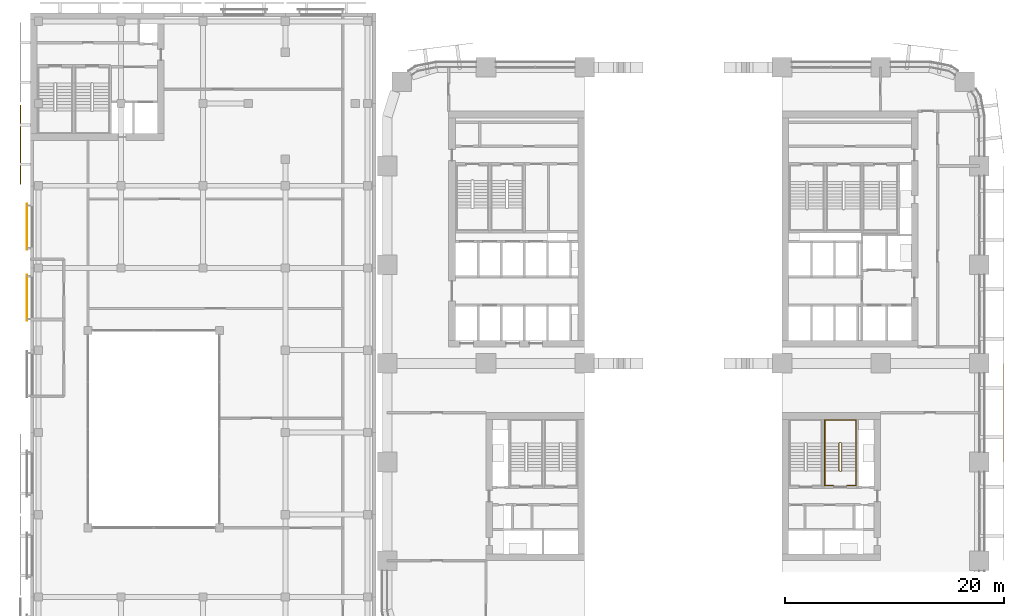
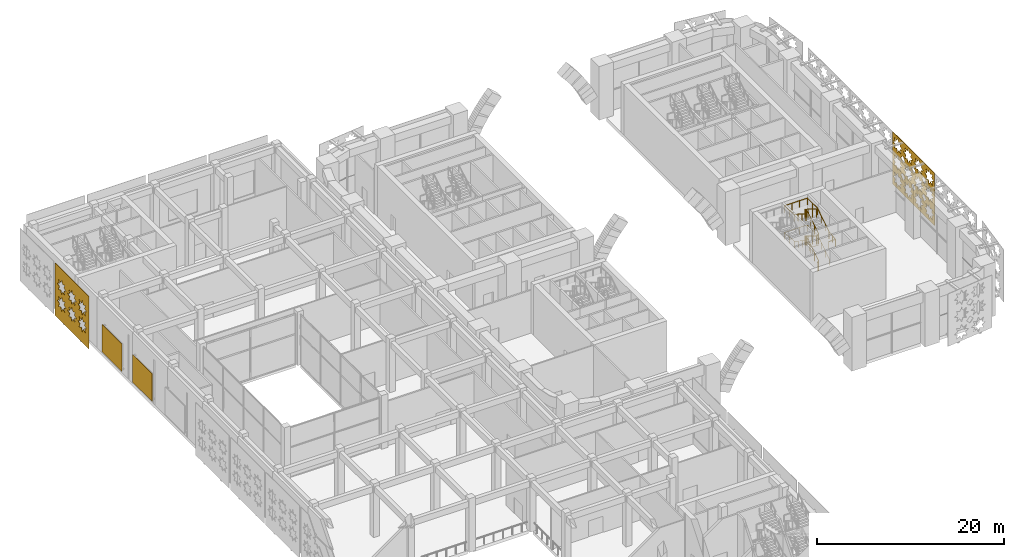
# One storey, part 36 of 42: 4 coverings, 3 railings.
"""IFC4 building model written with IfcOpenShell, lengths in metres."""

from ifc_helpers import new_model, si_unit, direction, frame, origin, origin_2d, place, context, subcontext, project, spatial, polyline, rectangle, circle, outline, extrude, material, layer, layer_set, type_object, element, save


model = new_model("IFC4")

# Units and contexts
model_context = context("Model", 3, precision=1e-05, world=origin(), true_north=direction((0.0, 1.0)))
body_context = subcontext(model_context, "Body", "Model", "MODEL_VIEW")
ifc_project = project(units=[si_unit("LENGTHUNIT", "METRE"), si_unit("AREAUNIT", "SQUARE_METRE"), si_unit("VOLUMEUNIT", "CUBIC_METRE"), si_unit("PLANEANGLEUNIT", "RADIAN"), si_unit("MASSUNIT", "GRAM", prefix="KILO")], contexts=[model_context])

# Site, building, storey
site_placement = place(None, origin())
site = spatial("IfcSite", under=ifc_project, at=site_placement, CompositionType="ELEMENT")
building_placement = place(site_placement, origin())
building = spatial("IfcBuilding", under=site, at=building_placement, Name="Tessera Arch", CompositionType="ELEMENT")
storey_placement = place(building_placement, frame((0.0, 0.0, 14.0)))
storey = spatial("IfcBuildingStorey", under=building, at=storey_placement, Name="L02", CompositionType="ELEMENT", Elevation=14.0)

# Coverings
ifc_material_1 = material(Name="Anodised aluminium pale metal", Category="aluminium")
ifc_layer_1 = layer(ifc_material_1, 0.050048828125)
ifc_layer_set_1 = layer_set([ifc_layer_1], Name="Base lattice panel pale metal")
covering_type_1 = type_object("IfcCoveringType", Name="Base lattice panel pale metal", PredefinedType="CLADDING", material=ifc_layer_set_1)
covering_1_placement = place(storey_placement, frame((56.199951171875, 18.0, 7.0), z_axis=(-1.0, 0.0, 0.0), x_axis=(0.0, 1.0, 0.0)))
element("IfcCovering", 1, at=covering_1_placement, inside=storey, type_object=covering_type_1, Name="Base lattice panel E54.0/1 L02", PredefinedType="CLADDING", context=body_context, shape_type="SweptSolid", body=[
    extrude(outline(polyline([(0.0, 0.0), (9.0, 0.0), (9.0, 6.840087890625), (0.0, 6.840087890625), (0.0, 0.0)]), holes=[polyline([(2.114990234375, 5.669921875), (1.6240234375, 5.462890625), (1.824951171875, 4.969970703125), (1.33203125, 5.1708984375), (1.125, 4.679931640625), (0.91796875, 5.1708984375), (0.425048828125, 4.969970703125), (0.6259765625, 5.462890625), (0.135009765625, 5.669921875), (0.6259765625, 5.876953125), (0.425048828125, 6.3701171875), (0.91796875, 6.1689453125), (1.125, 6.659912109375), (1.33203125, 6.1689453125), (1.824951171875, 6.3701171875), (1.6240234375, 5.876953125), (2.114990234375, 5.669921875)]), polyline([(2.114990234375, 3.419921875), (1.6240234375, 3.212890625), (1.824951171875, 2.719970703125), (1.33203125, 2.9208984375), (1.125, 2.429931640625), (0.91796875, 2.9208984375), (0.425048828125, 2.719970703125), (0.6259765625, 3.212890625), (0.135009765625, 3.419921875), (0.6259765625, 3.626953125), (0.425048828125, 4.1201171875), (0.91796875, 3.9189453125), (1.125, 4.409912109375), (1.33203125, 3.9189453125), (1.824951171875, 4.1201171875), (1.6240234375, 3.626953125), (2.114990234375, 3.419921875)]), polyline([(2.114990234375, 1.169921875), (1.6240234375, 0.962890625), (1.824951171875, 0.469970703125), (1.33203125, 0.6708984375), (1.125, 0.179931640625), (0.91796875, 0.6708984375), (0.425048828125, 0.469970703125), (0.6259765625, 0.962890625), (0.135009765625, 1.169921875), (0.6259765625, 1.376953125), (0.425048828125, 1.8701171875), (0.91796875, 1.6689453125), (1.125, 2.159912109375), (1.33203125, 1.6689453125), (1.824951171875, 1.8701171875), (1.6240234375, 1.376953125), (2.114990234375, 1.169921875)]), polyline([(4.364990234375, 5.669921875), (3.8740234375, 5.462890625), (4.074951171875, 4.969970703125), (3.58203125, 5.1708984375), (3.375, 4.679931640625), (3.16796875, 5.1708984375), (2.675048828125, 4.969970703125), (2.8759765625, 5.462890625), (2.385009765625, 5.669921875), (2.8759765625, 5.876953125), (2.675048828125, 6.3701171875), (3.16796875, 6.1689453125), (3.375, 6.659912109375), (3.58203125, 6.1689453125), (4.074951171875, 6.3701171875), (3.8740234375, 5.876953125), (4.364990234375, 5.669921875)]), polyline([(4.364990234375, 3.419921875), (3.8740234375, 3.212890625), (4.074951171875, 2.719970703125), (3.58203125, 2.9208984375), (3.375, 2.429931640625), (3.16796875, 2.9208984375), (2.675048828125, 2.719970703125), (2.8759765625, 3.212890625), (2.385009765625, 3.419921875), (2.8759765625, 3.626953125), (2.675048828125, 4.1201171875), (3.16796875, 3.9189453125), (3.375, 4.409912109375), (3.58203125, 3.9189453125), (4.074951171875, 4.1201171875), (3.8740234375, 3.626953125), (4.364990234375, 3.419921875)]), polyline([(4.364990234375, 1.169921875), (3.8740234375, 0.962890625), (4.074951171875, 0.469970703125), (3.58203125, 0.6708984375), (3.375, 0.179931640625), (3.16796875, 0.6708984375), (2.675048828125, 0.469970703125), (2.8759765625, 0.962890625), (2.385009765625, 1.169921875), (2.8759765625, 1.376953125), (2.675048828125, 1.8701171875), (3.16796875, 1.6689453125), (3.375, 2.159912109375), (3.58203125, 1.6689453125), (4.074951171875, 1.8701171875), (3.8740234375, 1.376953125), (4.364990234375, 1.169921875)]), polyline([(6.614990234375, 5.669921875), (6.1240234375, 5.462890625), (6.324951171875, 4.969970703125), (5.83203125, 5.1708984375), (5.625, 4.679931640625), (5.41796875, 5.1708984375), (4.925048828125, 4.969970703125), (5.1259765625, 5.462890625), (4.635009765625, 5.669921875), (5.1259765625, 5.876953125), (4.925048828125, 6.3701171875), (5.41796875, 6.1689453125), (5.625, 6.659912109375), (5.83203125, 6.1689453125), (6.324951171875, 6.3701171875), (6.1240234375, 5.876953125), (6.614990234375, 5.669921875)]), polyline([(6.614990234375, 3.419921875), (6.1240234375, 3.212890625), (6.324951171875, 2.719970703125), (5.83203125, 2.9208984375), (5.625, 2.429931640625), (5.41796875, 2.9208984375), (4.925048828125, 2.719970703125), (5.1259765625, 3.212890625), (4.635009765625, 3.419921875), (5.1259765625, 3.626953125), (4.925048828125, 4.1201171875), (5.41796875, 3.9189453125), (5.625, 4.409912109375), (5.83203125, 3.9189453125), (6.324951171875, 4.1201171875), (6.1240234375, 3.626953125), (6.614990234375, 3.419921875)]), polyline([(6.614990234375, 1.169921875), (6.1240234375, 0.962890625), (6.324951171875, 0.469970703125), (5.83203125, 0.6708984375), (5.625, 0.179931640625), (5.41796875, 0.6708984375), (4.925048828125, 0.469970703125), (5.1259765625, 0.962890625), (4.635009765625, 1.169921875), (5.1259765625, 1.376953125), (4.925048828125, 1.8701171875), (5.41796875, 1.6689453125), (5.625, 2.159912109375), (5.83203125, 1.6689453125), (6.324951171875, 1.8701171875), (6.1240234375, 1.376953125), (6.614990234375, 1.169921875)]), polyline([(8.864990234375, 5.669921875), (8.3740234375, 5.462890625), (8.574951171875, 4.969970703125), (8.08203125, 5.1708984375), (7.875, 4.679931640625), (7.66796875, 5.1708984375), (7.175048828125, 4.969970703125), (7.3759765625, 5.462890625), (6.885009765625, 5.669921875), (7.3759765625, 5.876953125), (7.175048828125, 6.3701171875), (7.66796875, 6.1689453125), (7.875, 6.659912109375), (8.08203125, 6.1689453125), (8.574951171875, 6.3701171875), (8.3740234375, 5.876953125), (8.864990234375, 5.669921875)]), polyline([(8.864990234375, 3.419921875), (8.3740234375, 3.212890625), (8.574951171875, 2.719970703125), (8.08203125, 2.9208984375), (7.875, 2.429931640625), (7.66796875, 2.9208984375), (7.175048828125, 2.719970703125), (7.3759765625, 3.212890625), (6.885009765625, 3.419921875), (7.3759765625, 3.626953125), (7.175048828125, 4.1201171875), (7.66796875, 3.9189453125), (7.875, 4.409912109375), (8.08203125, 3.9189453125), (8.574951171875, 4.1201171875), (8.3740234375, 3.626953125), (8.864990234375, 3.419921875)]), polyline([(8.864990234375, 1.169921875), (8.3740234375, 0.962890625), (8.574951171875, 0.469970703125), (8.08203125, 0.6708984375), (7.875, 0.179931640625), (7.66796875, 0.6708984375), (7.175048828125, 0.469970703125), (7.3759765625, 0.962890625), (6.885009765625, 1.169921875), (7.3759765625, 1.376953125), (7.175048828125, 1.8701171875), (7.66796875, 1.6689453125), (7.875, 2.159912109375), (8.08203125, 1.6689453125), (8.574951171875, 1.8701171875), (8.3740234375, 1.376953125), (8.864990234375, 1.169921875)]), polyline([(2.699951171875, 4.544921875), (2.25, 4.094970703125), (1.800048828125, 4.544921875), (2.25, 4.9951171875), (2.699951171875, 4.544921875)]), polyline([(2.699951171875, 2.294921875), (2.25, 1.844970703125), (1.800048828125, 2.294921875), (2.25, 2.7451171875), (2.699951171875, 2.294921875)]), polyline([(4.949951171875, 4.544921875), (4.5, 4.094970703125), (4.050048828125, 4.544921875), (4.5, 4.9951171875), (4.949951171875, 4.544921875)]), polyline([(4.949951171875, 2.294921875), (4.5, 1.844970703125), (4.050048828125, 2.294921875), (4.5, 2.7451171875), (4.949951171875, 2.294921875)]), polyline([(7.199951171875, 4.544921875), (6.75, 4.094970703125), (6.300048828125, 4.544921875), (6.75, 4.9951171875), (7.199951171875, 4.544921875)]), polyline([(7.199951171875, 2.294921875), (6.75, 1.844970703125), (6.300048828125, 2.294921875), (6.75, 2.7451171875), (7.199951171875, 2.294921875)])]), origin(), (0.0, 0.0, -1.0), 0.050048828125),
])
ifc_material_2 = material(Name="Anodised aluminium pale metal", Category="aluminium")
ifc_layer_2 = layer(ifc_material_2, 0.050048828125)
ifc_layer_set_2 = layer_set([ifc_layer_2], Name="Museum lattice skin panel")
covering_type_2 = type_object("IfcCoveringType", Name="Museum lattice skin panel", PredefinedType="CLADDING", material=ifc_layer_set_2)
covering_2_placement = place(storey_placement, frame((-33.449951171875, 50.550048828125, 6.949951171875), z_axis=(1.0, 0.0, 0.0), x_axis=(0.0, -1.0, 0.0)))
element("IfcCovering", 2, at=covering_2_placement, inside=storey, type_object=covering_type_2, Name="Museum lattice skin L02 6-3", PredefinedType="CLADDING", context=body_context, shape_type="SweptSolid", body=[
    extrude(outline(polyline([(0.0, 0.0), (7.199951171875, 0.0), (7.199951171875, 6.849853515625), (0.0, 6.849853515625), (0.0, 0.0)]), holes=[polyline([(2.3681640625, 4.52490234375), (1.887939453125, 4.322998046875), (2.083984375, 3.841064453125), (1.60205078125, 4.036865234375), (1.400146484375, 3.556884765625), (1.197998046875, 4.036865234375), (0.716064453125, 3.841064453125), (0.912109375, 4.322998046875), (0.43212890625, 4.52490234375), (0.912109375, 4.72705078125), (0.716064453125, 5.208984375), (1.197998046875, 5.012939453125), (1.400146484375, 5.492919921875), (1.60205078125, 5.012939453125), (2.083984375, 5.208984375), (1.887939453125, 4.72705078125), (2.3681640625, 4.52490234375)]), polyline([(2.3681640625, 2.324951171875), (1.887939453125, 2.123046875), (2.083984375, 1.640869140625), (1.60205078125, 1.8369140625), (1.400146484375, 1.35693359375), (1.197998046875, 1.8369140625), (0.716064453125, 1.640869140625), (0.912109375, 2.123046875), (0.43212890625, 2.324951171875), (0.912109375, 2.52685546875), (0.716064453125, 3.009033203125), (1.197998046875, 2.81298828125), (1.400146484375, 3.29296875), (1.60205078125, 2.81298828125), (2.083984375, 3.009033203125), (1.887939453125, 2.52685546875), (2.3681640625, 2.324951171875)]), polyline([(4.568115234375, 4.52490234375), (4.088134765625, 4.322998046875), (4.283935546875, 3.841064453125), (3.802001953125, 4.036865234375), (3.60009765625, 3.556884765625), (3.39794921875, 4.036865234375), (2.916015625, 3.841064453125), (3.112060546875, 4.322998046875), (2.632080078125, 4.52490234375), (3.112060546875, 4.72705078125), (2.916015625, 5.208984375), (3.39794921875, 5.012939453125), (3.60009765625, 5.492919921875), (3.802001953125, 5.012939453125), (4.283935546875, 5.208984375), (4.088134765625, 4.72705078125), (4.568115234375, 4.52490234375)]), polyline([(4.568115234375, 2.324951171875), (4.088134765625, 2.123046875), (4.283935546875, 1.640869140625), (3.802001953125, 1.8369140625), (3.60009765625, 1.35693359375), (3.39794921875, 1.8369140625), (2.916015625, 1.640869140625), (3.112060546875, 2.123046875), (2.632080078125, 2.324951171875), (3.112060546875, 2.52685546875), (2.916015625, 3.009033203125), (3.39794921875, 2.81298828125), (3.60009765625, 3.29296875), (3.802001953125, 2.81298828125), (4.283935546875, 3.009033203125), (4.088134765625, 2.52685546875), (4.568115234375, 2.324951171875)]), polyline([(6.76806640625, 4.52490234375), (6.2880859375, 4.322998046875), (6.484130859375, 3.841064453125), (6.001953125, 4.036865234375), (5.800048828125, 3.556884765625), (5.59814453125, 4.036865234375), (5.115966796875, 3.841064453125), (5.31201171875, 4.322998046875), (4.83203125, 4.52490234375), (5.31201171875, 4.72705078125), (5.115966796875, 5.208984375), (5.59814453125, 5.012939453125), (5.800048828125, 5.492919921875), (6.001953125, 5.012939453125), (6.484130859375, 5.208984375), (6.2880859375, 4.72705078125), (6.76806640625, 4.52490234375)]), polyline([(6.76806640625, 2.324951171875), (6.2880859375, 2.123046875), (6.484130859375, 1.640869140625), (6.001953125, 1.8369140625), (5.800048828125, 1.35693359375), (5.59814453125, 1.8369140625), (5.115966796875, 1.640869140625), (5.31201171875, 2.123046875), (4.83203125, 2.324951171875), (5.31201171875, 2.52685546875), (5.115966796875, 3.009033203125), (5.59814453125, 2.81298828125), (5.800048828125, 3.29296875), (6.001953125, 2.81298828125), (6.484130859375, 3.009033203125), (6.2880859375, 2.52685546875), (6.76806640625, 2.324951171875)])]), origin(), (0.0, 0.0, -1.0), 0.050048828125),
])
ifc_material_3 = material(Name="Anodised aluminium pale metal", Category="aluminium")
ifc_layer_3 = layer(ifc_material_3, 0.0400390625)
ifc_layer_set_3 = layer_set([ifc_layer_3], Name="Museum screen panel")
covering_type_3 = type_object("IfcCoveringType", Name="Museum screen panel", PredefinedType="CLADDING", material=ifc_layer_set_3)
for number, where, z_axis, x_axis, name in (
    (3, (-32.8701171875, 39.449951171875, 0.599853515625), (0.0, 0.0, 1.0), (0.0, -1.0, 0.0), "Screen panel museum L02 6-4"),
    (4, (-32.8701171875, 33.0, 0.599853515625), (0.0, 0.0, 1.0), (0.0, -1.0, 0.0), "Screen panel museum L02 6-5"),
):
    element("IfcCovering", number, at=place(storey_placement, frame(where, z_axis=z_axis, x_axis=x_axis)), inside=storey, type_object=covering_type_3, Name=name, PredefinedType="CLADDING", context=body_context, shape_type="SweptSolid", body=[
        extrude(rectangle(XDim=4.199951171875, YDim=0.0400390625, at=origin_2d()), origin(), (0.0, 0.0, 1.0), 3.60009765625),
    ])

# Railings
ifc_material_4 = material(Name="Painted steel balustrade", Category="steel")
railing_type_1 = type_object("IfcRailingType", Name="Stair guard 1100", PredefinedType="GUARDRAIL", material=ifc_material_4)
railing_1_placement = place(storey_placement, frame((41.39990234375, 17.14990234375, 0.0)))
element("IfcRailing", 5, at=railing_1_placement, inside=storey, type_object=railing_type_1, Name="L02 S3b stair guard 1", PredefinedType="GUARDRAIL", context=body_context, shape_type="SweptSolid", body=[
    extrude(circle(Radius=0.02392578125, at=origin_2d()), frame((0.00390625, 0.0, 1.076171875), z_axis=(-1.0, 0.0, 0.0), x_axis=(0.0, -1.0, 0.0)), (0.0, 0.0, 1.0), 0.157958984375),
    extrude(circle(Radius=0.02392578125, at=origin_2d()), frame((-0.15283203125, -0.000732421875, 1.073486328125), z_axis=(0.739407315901, 0.185077533284, 0.647319957877), x_axis=(-0.242814311512, 0.970072785993, 0.0)), (0.0, 0.0, 1.0), 0.2783203125),
    extrude(circle(Radius=0.02392578125, at=origin_2d()), frame((0.050048828125, 0.046630859375, 1.2490234375), z_axis=(0.0, 0.848007534815, 0.529984170421), x_axis=(-1.0, 0.0, 0.0)), (0.0, 0.0, 1.0), 2.979736328125),
    extrude(circle(Radius=0.02392578125, at=origin_2d()), frame((0.052978515625, 2.567138671875, 2.826171875), z_axis=(-0.707106781187, 0.707106781187, 0.0), x_axis=(-0.707106781187, -0.707106781187, 0.0)), (0.0, 0.0, 1.0), 0.078857421875),
    extrude(circle(Radius=0.02392578125, at=origin_2d()), frame((0.00390625, 2.6201171875, 2.826171875), z_axis=(-1.0, 0.0, 0.0), x_axis=(0.0, -1.0, 0.0)), (0.0, 0.0, 1.0), 0.157958984375),
    extrude(circle(Radius=0.02392578125, at=origin_2d()), frame((-0.14892578125, 2.62109375, 2.822265625), z_axis=(-0.265065253269, -0.265065253269, 0.927081885822), x_axis=(0.707106781187, -0.707106781187, 0.0)), (0.0, 0.0, 1.0), 0.19677734375),
    extrude(circle(Radius=0.02392578125, at=origin_2d()), frame((-0.199951171875, 2.573486328125, 2.9990234375), z_axis=(0.0, -0.848007534815, 0.529984170421), x_axis=(1.0, 0.0, 0.0)), (0.0, 0.0, 1.0), 2.979736328125),
    extrude(circle(Radius=0.02392578125, at=origin_2d()), frame((-0.203857421875, 0.051025390625, 4.576171875), z_axis=(0.970072785993, -0.242814311512, 0.0), x_axis=(0.242814311512, 0.970072785993, 0.0)), (0.0, 0.0, 1.0), 0.214111328125),
    extrude(circle(Radius=0.02392578125, at=origin_2d()), frame((0.00390625, 0.0, 4.576171875), z_axis=(-1.0, 0.0, 0.0), x_axis=(0.0, -1.0, 0.0)), (0.0, 0.0, 1.0), 0.157958984375),
    extrude(circle(Radius=0.02392578125, at=origin_2d()), frame((-0.15283203125, -0.000732421875, 4.573486328125), z_axis=(0.739407315901, 0.185077533284, 0.647319957877), x_axis=(-0.242814311512, 0.970072785993, 0.0)), (0.0, 0.0, 1.0), 0.2783203125),
    extrude(circle(Radius=0.02392578125, at=origin_2d()), frame((0.050048828125, 0.046630859375, 4.7490234375), z_axis=(0.0, 0.848007534815, 0.529984170421), x_axis=(-1.0, 0.0, 0.0)), (0.0, 0.0, 1.0), 2.979736328125),
    extrude(circle(Radius=0.02392578125, at=origin_2d()), frame((0.052978515625, 2.567138671875, 6.326171875), z_axis=(-0.707106781187, 0.707106781187, 0.0), x_axis=(-0.707106781187, -0.707106781187, 0.0)), (0.0, 0.0, 1.0), 0.078857421875),
    extrude(circle(Radius=0.02392578125, at=origin_2d()), frame((0.00390625, 2.6201171875, 6.326171875), z_axis=(-1.0, 0.0, 0.0), x_axis=(0.0, -1.0, 0.0)), (0.0, 0.0, 1.0), 0.157958984375),
    extrude(circle(Radius=0.02392578125, at=origin_2d()), frame((-0.14892578125, 2.62109375, 6.322265625), z_axis=(-0.265065253269, -0.265065253269, 0.927081885822), x_axis=(0.707106781187, -0.707106781187, 0.0)), (0.0, 0.0, 1.0), 0.19677734375),
    extrude(circle(Radius=0.02392578125, at=origin_2d()), frame((-0.199951171875, 2.573486328125, 6.4990234375), z_axis=(0.0, -0.848007534815, 0.529984170421), x_axis=(1.0, 0.0, 0.0)), (0.0, 0.0, 1.0), 2.979736328125),
    extrude(circle(Radius=0.02099609375, at=origin_2d()), origin(), (0.0, 0.0, 1.0), 1.06396484375),
    extrude(circle(Radius=0.02099609375, at=origin_2d()), frame((-0.14990234375, 0.0, 0.0)), (0.0, 0.0, 1.0), 1.06396484375),
    extrude(circle(Radius=0.02099609375, at=origin_2d()), frame((0.050048828125, 0.050048828125, 0.175048828125)), (0.0, 0.0, 1.0), 1.06396484375),
    extrude(circle(Radius=0.02099609375, at=origin_2d()), frame((0.050048828125, 0.89013671875, 0.699951171875)), (0.0, 0.0, 1.0), 1.06396484375),
    extrude(circle(Radius=0.02099609375, at=origin_2d()), frame((0.050048828125, 1.72998046875, 1.22509765625)), (0.0, 0.0, 1.0), 1.06396484375),
    extrude(circle(Radius=0.02099609375, at=origin_2d()), frame((0.050048828125, 2.570068359375, 1.75)), (0.0, 0.0, 1.0), 1.06396484375),
    extrude(circle(Radius=0.02099609375, at=origin_2d()), frame((0.0, 2.6201171875, 1.75)), (0.0, 0.0, 1.0), 1.06396484375),
    extrude(circle(Radius=0.02099609375, at=origin_2d()), frame((-0.14990234375, 2.6201171875, 1.75)), (0.0, 0.0, 1.0), 1.06396484375),
    extrude(circle(Radius=0.02099609375, at=origin_2d()), frame((-0.199951171875, 2.570068359375, 1.925048828125)), (0.0, 0.0, 1.0), 1.06396484375),
    extrude(circle(Radius=0.02099609375, at=origin_2d()), frame((-0.199951171875, 1.72998046875, 2.449951171875)), (0.0, 0.0, 1.0), 1.06396484375),
    extrude(circle(Radius=0.02099609375, at=origin_2d()), frame((-0.199951171875, 0.89013671875, 2.97509765625)), (0.0, 0.0, 1.0), 1.06396484375),
    extrude(circle(Radius=0.02099609375, at=origin_2d()), frame((-0.199951171875, 0.050048828125, 3.5)), (0.0, 0.0, 1.0), 1.06396484375),
    extrude(circle(Radius=0.02099609375, at=origin_2d()), frame((0.0, 0.0, 3.5)), (0.0, 0.0, 1.0), 1.06396484375),
    extrude(circle(Radius=0.02099609375, at=origin_2d()), frame((-0.14990234375, 0.0, 3.5)), (0.0, 0.0, 1.0), 1.06396484375),
    extrude(circle(Radius=0.02099609375, at=origin_2d()), frame((0.050048828125, 0.050048828125, 3.675048828125)), (0.0, 0.0, 1.0), 1.06396484375),
    extrude(circle(Radius=0.02099609375, at=origin_2d()), frame((0.050048828125, 0.89013671875, 4.199951171875)), (0.0, 0.0, 1.0), 1.06396484375),
    extrude(circle(Radius=0.02099609375, at=origin_2d()), frame((0.050048828125, 1.72998046875, 4.72509765625)), (0.0, 0.0, 1.0), 1.06396484375),
    extrude(circle(Radius=0.02099609375, at=origin_2d()), frame((0.050048828125, 2.570068359375, 5.25)), (0.0, 0.0, 1.0), 1.06396484375),
    extrude(circle(Radius=0.02099609375, at=origin_2d()), frame((0.0, 2.6201171875, 5.25)), (0.0, 0.0, 1.0), 1.06396484375),
    extrude(circle(Radius=0.02099609375, at=origin_2d()), frame((-0.14990234375, 2.6201171875, 5.25)), (0.0, 0.0, 1.0), 1.06396484375),
    extrude(circle(Radius=0.02099609375, at=origin_2d()), frame((-0.199951171875, 2.570068359375, 5.425048828125)), (0.0, 0.0, 1.0), 1.06396484375),
    extrude(circle(Radius=0.02099609375, at=origin_2d()), frame((-0.199951171875, 1.72998046875, 5.949951171875)), (0.0, 0.0, 1.0), 1.06396484375),
    extrude(circle(Radius=0.02099609375, at=origin_2d()), frame((-0.199951171875, 0.89013671875, 6.47509765625)), (0.0, 0.0, 1.0), 1.06396484375),
    extrude(circle(Radius=0.02099609375, at=origin_2d()), frame((-0.199951171875, 0.050048828125, 7.0)), (0.0, 0.0, 1.0), 1.06396484375),
])
ifc_material_5 = material(Name="Painted steel handrail", Category="steel")
railing_type_2 = type_object("IfcRailingType", Name="Stair handrail 900", PredefinedType="HANDRAIL", material=ifc_material_5)
railing_2_placement = place(storey_placement, frame((42.75, 17.199951171875, 0.175048828125)))
element("IfcRailing", 6, at=railing_2_placement, inside=storey, type_object=railing_type_2, Name="L02 S3b stair handrail", PredefinedType="HANDRAIL", context=body_context, shape_type="SweptSolid", body=[
    extrude(circle(Radius=0.02392578125, at=origin_2d()), frame((0.0, -0.00341796875, 0.873779296875), z_axis=(0.0, 0.848007534815, 0.529984170421), x_axis=(-1.0, 0.0, 0.0)), (0.0, 0.0, 1.0), 2.979736328125),
    extrude(circle(Radius=0.02392578125, at=origin_2d()), frame((0.0, 2.51611328125, 2.45068359375), z_axis=(0.0, 1.0, 0.0), x_axis=(-1.0, 0.0, 0.0)), (0.0, 0.0, 1.0), 2.13818359375),
    extrude(circle(Radius=0.02392578125, at=origin_2d()), frame((0.00390625, 4.650146484375, 2.45068359375), z_axis=(-1.0, 0.0, 0.0), x_axis=(0.0, -1.0, 0.0)), (0.0, 0.0, 1.0), 2.858154296875),
    extrude(circle(Radius=0.02392578125, at=origin_2d()), frame((-2.85009765625, 4.654052734375, 2.450439453125), z_axis=(0.0, -0.996640423177, 0.0819015683), x_axis=(1.0, 0.0, 0.0)), (0.0, 0.0, 1.0), 2.145263671875),
    extrude(circle(Radius=0.02392578125, at=origin_2d()), frame((-2.85009765625, 2.5234375, 2.623779296875), z_axis=(0.0, -0.848007534815, 0.529984170421), x_axis=(1.0, 0.0, 0.0)), (0.0, 0.0, 1.0), 2.979736328125),
    extrude(circle(Radius=0.02392578125, at=origin_2d()), frame((-2.85009765625, 0.00390625, 4.20068359375), z_axis=(0.0, -1.0, 0.0), x_axis=(1.0, 0.0, 0.0)), (0.0, 0.0, 1.0), 1.35791015625),
    extrude(circle(Radius=0.02392578125, at=origin_2d()), frame((-2.85400390625, -1.349853515625, 4.20068359375), z_axis=(1.0, 0.0, 0.0), x_axis=(0.0, 1.0, 0.0)), (0.0, 0.0, 1.0), 0.833251953125),
    extrude(circle(Radius=0.02099609375, at=origin_2d()), origin(), (0.0, 0.0, 1.0), 0.86376953125),
    extrude(circle(Radius=0.02099609375, at=origin_2d()), frame((0.0, 0.840087890625, 0.52490234375)), (0.0, 0.0, 1.0), 0.86376953125),
    extrude(circle(Radius=0.02099609375, at=origin_2d()), frame((0.0, 1.679931640625, 1.050048828125)), (0.0, 0.0, 1.0), 0.86376953125),
    extrude(circle(Radius=0.02099609375, at=origin_2d()), frame((0.0, 2.52001953125, 1.574951171875)), (0.0, 0.0, 1.0), 0.86376953125),
    extrude(circle(Radius=0.02099609375, at=origin_2d()), frame((0.0, 3.5849609375, 1.574951171875)), (0.0, 0.0, 1.0), 0.86376953125),
    extrude(circle(Radius=0.02099609375, at=origin_2d()), frame((0.0, 4.650146484375, 1.574951171875)), (0.0, 0.0, 1.0), 0.86376953125),
    extrude(circle(Radius=0.02099609375, at=origin_2d()), frame((-0.949951171875, 4.650146484375, 1.574951171875)), (0.0, 0.0, 1.0), 0.86376953125),
    extrude(circle(Radius=0.02099609375, at=origin_2d()), frame((-1.900146484375, 4.650146484375, 1.574951171875)), (0.0, 0.0, 1.0), 0.86376953125),
    extrude(circle(Radius=0.02099609375, at=origin_2d()), frame((-2.85009765625, 4.650146484375, 1.574951171875)), (0.0, 0.0, 1.0), 0.86376953125),
    extrude(circle(Radius=0.02099609375, at=origin_2d()), frame((-2.85009765625, 3.5849609375, 1.66259765625)), (0.0, 0.0, 1.0), 0.86376953125),
    extrude(circle(Radius=0.02099609375, at=origin_2d()), frame((-2.85009765625, 2.52001953125, 1.75)), (0.0, 0.0, 1.0), 0.86376953125),
    extrude(circle(Radius=0.02099609375, at=origin_2d()), frame((-2.85009765625, 1.679931640625, 2.27490234375)), (0.0, 0.0, 1.0), 0.86376953125),
    extrude(circle(Radius=0.02099609375, at=origin_2d()), frame((-2.85009765625, 0.840087890625, 2.800048828125)), (0.0, 0.0, 1.0), 0.86376953125),
    extrude(circle(Radius=0.02099609375, at=origin_2d()), frame((-2.85009765625, 0.0, 3.324951171875)), (0.0, 0.0, 1.0), 0.86376953125),
    extrude(circle(Radius=0.02099609375, at=origin_2d()), frame((-2.85009765625, -0.6748046875, 3.324951171875)), (0.0, 0.0, 1.0), 0.86376953125),
    extrude(circle(Radius=0.02099609375, at=origin_2d()), frame((-2.85009765625, -1.349853515625, 3.324951171875)), (0.0, 0.0, 1.0), 0.86376953125),
    extrude(circle(Radius=0.02099609375, at=origin_2d()), frame((-2.02490234375, -1.349853515625, 3.324951171875)), (0.0, 0.0, 1.0), 0.86376953125),
])
railing_3_placement = place(storey_placement, frame((41.925048828125, 15.85009765625, 3.5)))
element("IfcRailing", 7, at=railing_3_placement, inside=storey, type_object=railing_type_2, Name="L02 S3b stair handrail 2", PredefinedType="HANDRAIL", context=body_context, shape_type="SweptSolid", body=[
    extrude(circle(Radius=0.02392578125, at=origin_2d()), frame((-0.00390625, 0.0, 0.8759765625), z_axis=(1.0, 0.0, 0.0), x_axis=(0.0, 1.0, 0.0)), (0.0, 0.0, 1.0), 0.8330078125),
    extrude(circle(Radius=0.02392578125, at=origin_2d()), frame((0.824951171875, -0.00390625, 0.875244140625), z_axis=(0.0, 0.991696153654, 0.128603028065), x_axis=(-1.0, 0.0, 0.0)), (0.0, 0.0, 1.0), 1.369140625),
    extrude(circle(Radius=0.02392578125, at=origin_2d()), frame((0.824951171875, 1.346435546875, 1.048828125), z_axis=(0.0, 0.848007534815, 0.529984170421), x_axis=(-1.0, 0.0, 0.0)), (0.0, 0.0, 1.0), 2.979736328125),
    extrude(circle(Radius=0.02392578125, at=origin_2d()), frame((0.824951171875, 3.865966796875, 2.6259765625), z_axis=(0.0, 1.0, 0.0), x_axis=(-1.0, 0.0, 0.0)), (0.0, 0.0, 1.0), 2.13818359375),
    extrude(circle(Radius=0.02392578125, at=origin_2d()), frame((0.828857421875, 6.0, 2.6259765625), z_axis=(-1.0, 0.0, 0.0), x_axis=(0.0, -1.0, 0.0)), (0.0, 0.0, 1.0), 2.858154296875),
    extrude(circle(Radius=0.02392578125, at=origin_2d()), frame((-2.025146484375, 6.00390625, 2.62548828125), z_axis=(0.0, -0.996640423177, 0.0819015683), x_axis=(1.0, 0.0, 0.0)), (0.0, 0.0, 1.0), 2.145263671875),
    extrude(circle(Radius=0.02392578125, at=origin_2d()), frame((-2.025146484375, 3.873291015625, 2.798828125), z_axis=(0.0, -0.848007534815, 0.529984170421), x_axis=(1.0, 0.0, 0.0)), (0.0, 0.0, 1.0), 2.979736328125),
    extrude(circle(Radius=0.02099609375, at=origin_2d()), origin(), (0.0, 0.0, 1.0), 0.86376953125),
    extrude(circle(Radius=0.02099609375, at=origin_2d()), frame((0.824951171875, 0.0, 0.0)), (0.0, 0.0, 1.0), 0.86376953125),
    extrude(circle(Radius=0.02099609375, at=origin_2d()), frame((0.824951171875, 0.6748046875, 0.08740234375)), (0.0, 0.0, 1.0), 0.86376953125),
    extrude(circle(Radius=0.02099609375, at=origin_2d()), frame((0.824951171875, 1.349853515625, 0.175048828125)), (0.0, 0.0, 1.0), 0.86376953125),
    extrude(circle(Radius=0.02099609375, at=origin_2d()), frame((0.824951171875, 2.18994140625, 0.699951171875)), (0.0, 0.0, 1.0), 0.86376953125),
    extrude(circle(Radius=0.02099609375, at=origin_2d()), frame((0.824951171875, 3.02978515625, 1.22509765625)), (0.0, 0.0, 1.0), 0.86376953125),
    extrude(circle(Radius=0.02099609375, at=origin_2d()), frame((0.824951171875, 3.869873046875, 1.75)), (0.0, 0.0, 1.0), 0.86376953125),
    extrude(circle(Radius=0.02099609375, at=origin_2d()), frame((0.824951171875, 4.93505859375, 1.75)), (0.0, 0.0, 1.0), 0.86376953125),
    extrude(circle(Radius=0.02099609375, at=origin_2d()), frame((0.824951171875, 6.0, 1.75)), (0.0, 0.0, 1.0), 0.86376953125),
    extrude(circle(Radius=0.02099609375, at=origin_2d()), frame((-0.125, 6.0, 1.75)), (0.0, 0.0, 1.0), 0.86376953125),
    extrude(circle(Radius=0.02099609375, at=origin_2d()), frame((-1.0751953125, 6.0, 1.75)), (0.0, 0.0, 1.0), 0.86376953125),
    extrude(circle(Radius=0.02099609375, at=origin_2d()), frame((-2.025146484375, 6.0, 1.75)), (0.0, 0.0, 1.0), 0.86376953125),
    extrude(circle(Radius=0.02099609375, at=origin_2d()), frame((-2.025146484375, 4.93505859375, 1.83740234375)), (0.0, 0.0, 1.0), 0.86376953125),
    extrude(circle(Radius=0.02099609375, at=origin_2d()), frame((-2.025146484375, 3.869873046875, 1.925048828125)), (0.0, 0.0, 1.0), 0.86376953125),
    extrude(circle(Radius=0.02099609375, at=origin_2d()), frame((-2.025146484375, 3.02978515625, 2.449951171875)), (0.0, 0.0, 1.0), 0.86376953125),
    extrude(circle(Radius=0.02099609375, at=origin_2d()), frame((-2.025146484375, 2.18994140625, 2.97509765625)), (0.0, 0.0, 1.0), 0.86376953125),
    extrude(circle(Radius=0.02099609375, at=origin_2d()), frame((-2.025146484375, 1.349853515625, 3.5)), (0.0, 0.0, 1.0), 0.86376953125),
])

save(model, "model.ifc")
